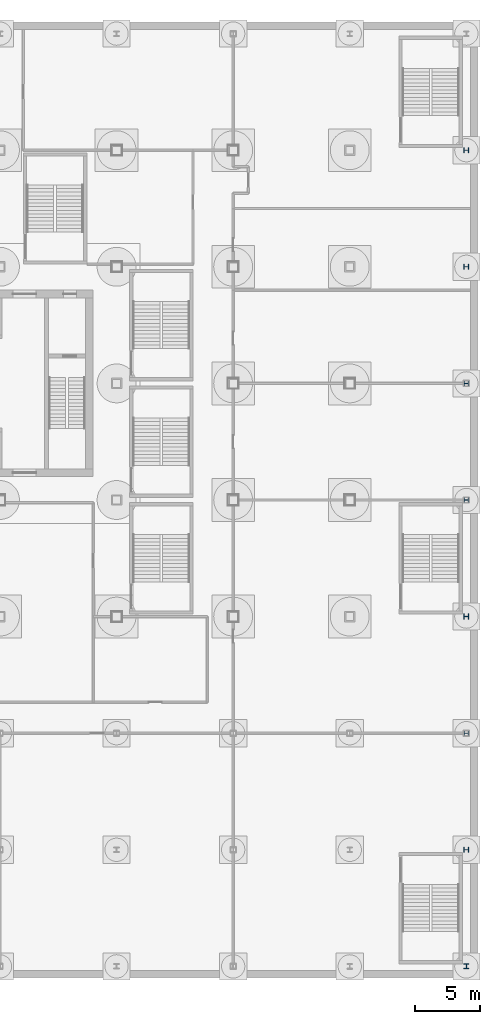
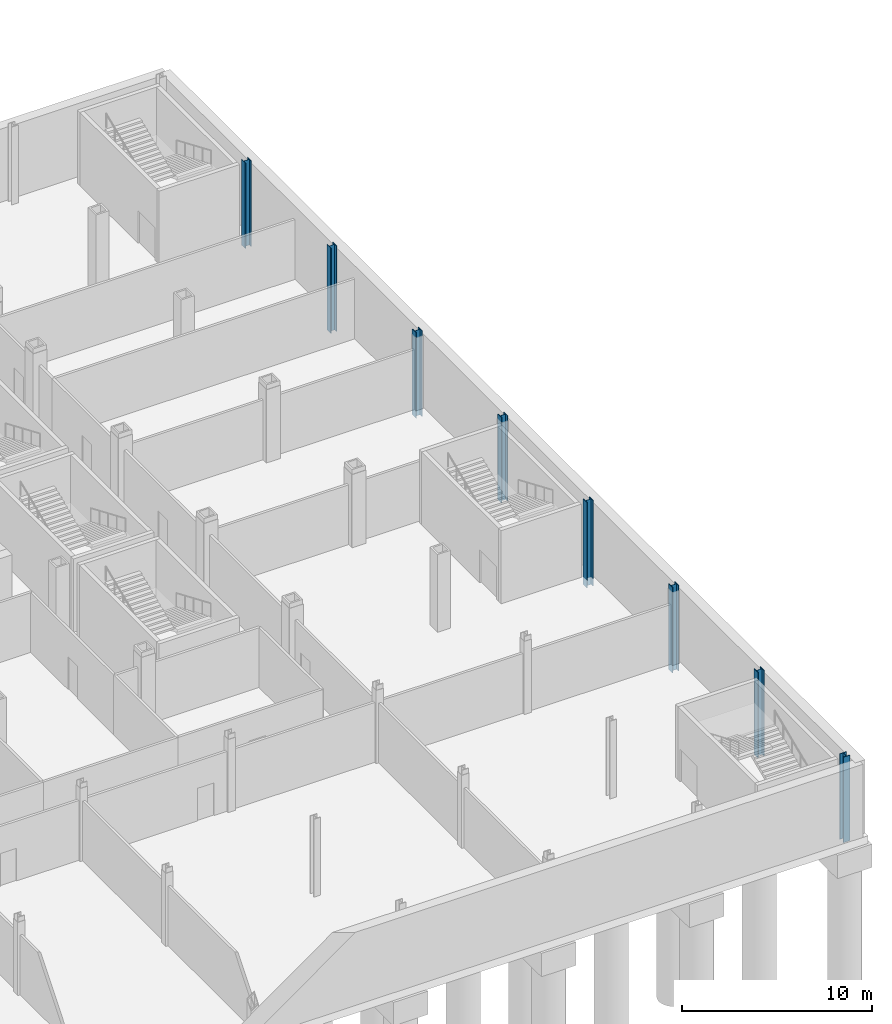
# One storey, part 4 of 28: 8 columns.
"""IFC4 building model written with IfcOpenShell, lengths in metres."""

from ifc_helpers import new_model, si_unit, direction, frame, origin, origin_2d, place, context, subcontext, project, spatial, i_section, extrude, material, material_profile, profile_set, type_object, element, save


model = new_model("IFC4")

# Units and contexts
model_context = context("Model", 3, precision=1e-05, world=origin(), true_north=direction((0.0, 1.0)))
body_context = subcontext(model_context, "Body", "Model", "MODEL_VIEW")
ifc_project = project(units=[si_unit("LENGTHUNIT", "METRE"), si_unit("AREAUNIT", "SQUARE_METRE"), si_unit("VOLUMEUNIT", "CUBIC_METRE"), si_unit("PLANEANGLEUNIT", "RADIAN"), si_unit("MASSUNIT", "GRAM", prefix="KILO")], contexts=[model_context])

# Site, building, storey
site_placement = place(None, origin())
site = spatial("IfcSite", under=ifc_project, at=site_placement, CompositionType="ELEMENT")
building_placement = place(site_placement, origin())
building = spatial("IfcBuilding", under=site, at=building_placement, Name="Loomwork Tower", CompositionType="ELEMENT")
storey_placement = place(building_placement, frame((0.0, 0.0, -10.5)))
storey = spatial("IfcBuildingStorey", under=building, at=storey_placement, Name="B2", CompositionType="ELEMENT", Elevation=-10.5)

# Columns
ifc_material = material(Name="Steel ASTM A992", Category="steel")
ifc_material_profile = material_profile(ifc_material, i_section(OverallWidth=0.4013671875, OverallDepth=0.398681640625, WebThickness=0.02490234375, FlangeThickness=0.03955078125, at=origin_2d()), Name="W14x211")
ifc_profile_set = profile_set([ifc_material_profile], Name="Steel ASTM A992")
column_type = type_object("IfcColumnType", Name="PODIUM COLUMN W14x211", PredefinedType="COLUMN", material=ifc_profile_set)
for number, where, z_axis, x_axis, name in (
    (1, (63.0, -27.0, -0.5), (0.0, 0.0, 1.0), (1.0, 0.0, 0.0), "Podium Column A/9 B2"),
    (2, (63.0, -18.0, -0.5), (0.0, 0.0, 1.0), (0.0, 1.0, 0.0), "Podium Column B/9 B2"),
    (3, (63.0, -9.0, -0.5), (0.0, 0.0, 1.0), (0.0, 1.0, 0.0), "Podium Column C/9 B2"),
    (4, (63.0, 0.0, -0.5), (0.0, 0.0, 1.0), (0.0, 1.0, 0.0), "Podium Column D/9 B2"),
    (5, (63.0, 9.0, -0.5), (0.0, 0.0, 1.0), (0.0, 1.0, 0.0), "Podium Column E/9 B2"),
    (6, (63.0, 18.0, -0.5), (0.0, 0.0, 1.0), (0.0, 1.0, 0.0), "Podium Column F/9 B2"),
    (7, (63.0, 27.0, -0.5), (0.0, 0.0, 1.0), (0.0, 1.0, 0.0), "Podium Column G/9 B2"),
    (8, (63.0, 36.0, -0.5), (0.0, 0.0, 1.0), (0.0, 1.0, 0.0), "Podium Column H/9 B2"),
):
    element("IfcColumn", number, at=place(storey_placement, frame(where, z_axis=z_axis, x_axis=x_axis)), inside=storey, type_object=column_type, Name=name, PredefinedType="COLUMN", context=body_context, shape_type="SweptSolid", body=[
        extrude(i_section(OverallWidth=0.4013671875, OverallDepth=0.398681640625, WebThickness=0.02490234375, FlangeThickness=0.03955078125, at=origin_2d()), origin(), (0.0, 0.0, 1.0), 5.5),
    ])

save(model, "model.ifc")
